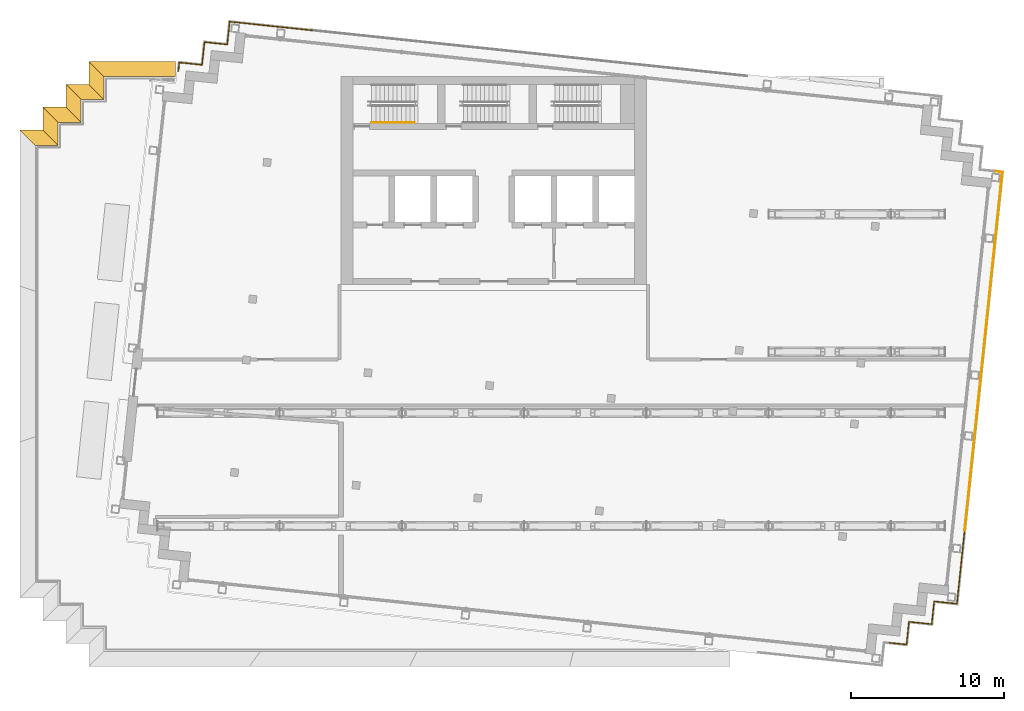
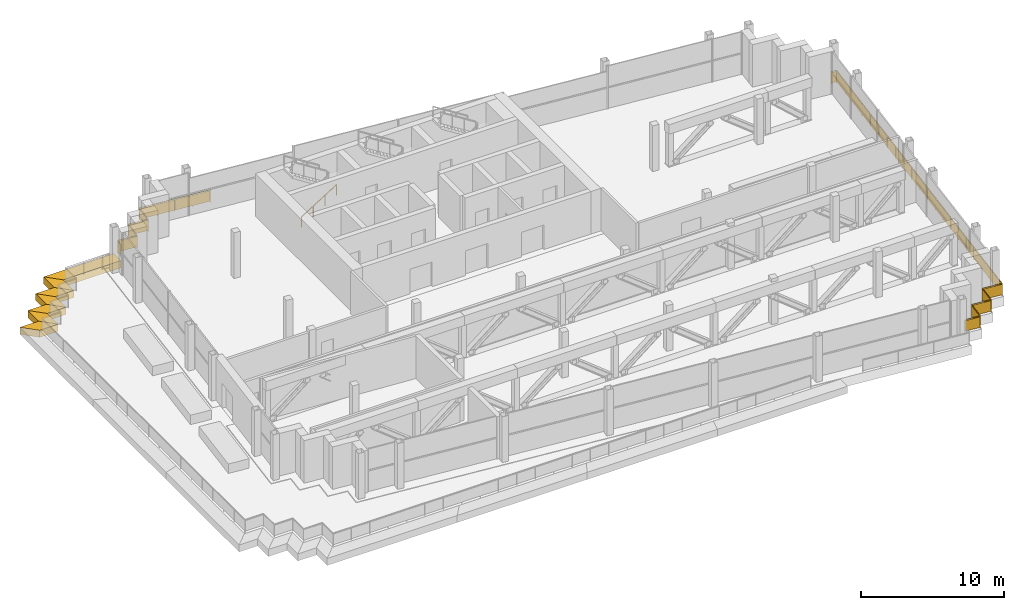
# One storey, part 16 of 18: 7 shading devices, 5 railings.
"""IFC4 building model written with IfcOpenShell, lengths in metres."""

from ifc_helpers import new_model, si_unit, direction, frame, origin, origin_2d, place, context, subcontext, project, spatial, polyline, rectangle, circle, outline, extrude, material, layer, layer_set, type_object, element, save


model = new_model("IFC4")

# Units and contexts
model_context = context("Model", 3, precision=1e-05, world=origin(), true_north=direction((0.0, 1.0)))
body_context = subcontext(model_context, "Body", "Model", "MODEL_VIEW")
ifc_project = project(units=[si_unit("LENGTHUNIT", "METRE"), si_unit("AREAUNIT", "SQUARE_METRE"), si_unit("VOLUMEUNIT", "CUBIC_METRE"), si_unit("PLANEANGLEUNIT", "RADIAN"), si_unit("MASSUNIT", "GRAM", prefix="KILO")], contexts=[model_context])

# Site, building, storey
site_placement = place(None, origin())
site = spatial("IfcSite", under=ifc_project, at=site_placement, CompositionType="ELEMENT")
building_placement = place(site_placement, origin())
building = spatial("IfcBuilding", under=site, at=building_placement, Name="Vidyagriha Tower", CompositionType="ELEMENT")
storey_placement = place(building_placement, frame((0.0, 0.0, 249.199951171875)))
storey = spatial("IfcBuildingStorey", under=building, at=storey_placement, Name="L64", CompositionType="ELEMENT", Elevation=249.199951171875)

# Shading devices
ifc_material_1 = material(Name="Precast concrete C40/50 with brick facing", Category="concrete")
ifc_layer = layer(ifc_material_1, 1.0)
ifc_layer_set = layer_set([ifc_layer], Name="Precast concrete C40/50 with brick facing")
shading_device_type = type_object("IfcShadingDeviceType", Name="Brick chhajja fascia 600", PredefinedType="USERDEFINED", material=ifc_layer_set)
shading_device_1_placement = place(storey_placement, frame((0.0, 0.0, -0.599853515625)))
element("IfcShadingDevice", 1, at=shading_device_1_placement, inside=storey, type_object=shading_device_type, Name="Chhajja fascia TR-B6-1 1", ObjectType="CHHAJJA", PredefinedType="USERDEFINED", context=body_context, shape_type="SweptSolid", body=[
    extrude(outline(polyline([(-20.82763671875, 20.0), (-20.82763671875, 21.0), (-26.5, 21.0), (-25.5, 20.0), (-20.82763671875, 20.0)])), origin(), (0.0, 0.0, 1.0), 0.599853515625),
])
shading_device_2_placement = place(storey_placement, frame((0.0, 0.0, -0.599853515625)))
element("IfcShadingDevice", 2, at=shading_device_2_placement, inside=storey, type_object=shading_device_type, Name="Chhajja fascia TR-B6-1 2", ObjectType="CHHAJJA", PredefinedType="USERDEFINED", context=body_context, shape_type="SweptSolid", body=[
    extrude(outline(polyline([(-25.5, 20.0), (-26.5, 21.0), (-26.5, 19.5), (-25.5, 18.5), (-25.5, 20.0)])), origin(), (0.0, 0.0, 1.0), 0.599853515625),
])
shading_device_3_placement = place(storey_placement, frame((0.0, 0.0, -0.599853515625)))
element("IfcShadingDevice", 3, at=shading_device_3_placement, inside=storey, type_object=shading_device_type, Name="Chhajja fascia TR-B6-1 3", ObjectType="CHHAJJA", PredefinedType="USERDEFINED", context=body_context, shape_type="SweptSolid", body=[
    extrude(outline(polyline([(-25.5, 18.5), (-26.5, 19.5), (-28.0, 19.5), (-27.0, 18.5), (-25.5, 18.5)])), origin(), (0.0, 0.0, 1.0), 0.599853515625),
])
shading_device_4_placement = place(storey_placement, frame((0.0, 0.0, -0.599853515625)))
element("IfcShadingDevice", 4, at=shading_device_4_placement, inside=storey, type_object=shading_device_type, Name="Chhajja fascia TR-B6-1 4", ObjectType="CHHAJJA", PredefinedType="USERDEFINED", context=body_context, shape_type="SweptSolid", body=[
    extrude(outline(polyline([(-27.0, 18.5), (-28.0, 19.5), (-28.0, 18.0), (-27.0, 17.0), (-27.0, 18.5)])), origin(), (0.0, 0.0, 1.0), 0.599853515625),
])
shading_device_5_placement = place(storey_placement, frame((0.0, 0.0, -0.599853515625)))
element("IfcShadingDevice", 5, at=shading_device_5_placement, inside=storey, type_object=shading_device_type, Name="Chhajja fascia TR-B6-1 5", ObjectType="CHHAJJA", PredefinedType="USERDEFINED", context=body_context, shape_type="SweptSolid", body=[
    extrude(outline(polyline([(-27.0, 17.0), (-28.0, 18.0), (-29.5, 18.0), (-28.5, 17.0), (-27.0, 17.0)])), origin(), (0.0, 0.0, 1.0), 0.599853515625),
])
shading_device_6_placement = place(storey_placement, frame((0.0, 0.0, -0.599853515625)))
element("IfcShadingDevice", 6, at=shading_device_6_placement, inside=storey, type_object=shading_device_type, Name="Chhajja fascia TR-B6-1 6", ObjectType="CHHAJJA", PredefinedType="USERDEFINED", context=body_context, shape_type="SweptSolid", body=[
    extrude(outline(polyline([(-28.5, 17.0), (-29.5, 18.0), (-29.5, 16.5), (-28.5, 15.5), (-28.5, 17.0)])), origin(), (0.0, 0.0, 1.0), 0.599853515625),
])
shading_device_7_placement = place(storey_placement, frame((0.0, 0.0, -0.599853515625)))
element("IfcShadingDevice", 7, at=shading_device_7_placement, inside=storey, type_object=shading_device_type, Name="Chhajja fascia TR-B6-1 7", ObjectType="CHHAJJA", PredefinedType="USERDEFINED", context=body_context, shape_type="SweptSolid", body=[
    extrude(outline(polyline([(-28.5, 15.5), (-29.5, 16.5), (-31.0, 16.5), (-30.0, 15.5), (-28.5, 15.5)])), origin(), (0.0, 0.0, 1.0), 0.599853515625),
])

# Railings
ifc_material_2 = material(Name="Steel ASTM A500 Grade C black painted", Category="steel")
railing_type_1 = type_object("IfcRailingType", Name="Gallery guard 1100", PredefinedType="GUARDRAIL", material=ifc_material_2)
railing_1_placement = place(storey_placement, frame((-20.638916015625, 20.360107421875, 0.0)))
element("IfcRailing", 8, at=railing_1_placement, inside=storey, type_object=railing_type_1, Name="Gallery guard L64 1", PredefinedType="GUARDRAIL", context=body_context, shape_type="SweptSolid", body=[
    extrude(circle(Radius=0.02490234375, at=origin_2d()), frame((0.0, 0.0, 1.0751953125), z_axis=(0.104595526741, 0.994514844427, 0.0), x_axis=(-0.994514844427, 0.104595526741, 0.0)), (0.0, 0.0, 1.0), 0.569580078125),
    extrude(circle(Radius=0.02490234375, at=origin_2d()), frame((0.0595703125, 0.56640625, 1.0751953125), z_axis=(0.994525057048, -0.104498377516, 0.0), x_axis=(0.104498377516, 0.994525057048, 0.0)), (0.0, 0.0, 1.0), 1.5),
    extrude(circle(Radius=0.02490234375, at=origin_2d()), frame((1.55126953125, 0.40966796875, 1.0751953125), z_axis=(0.104498377516, 0.994525057048, 0.0), x_axis=(-0.994525057048, 0.104498377516, 0.0)), (0.0, 0.0, 1.0), 1.5),
    extrude(circle(Radius=0.02490234375, at=origin_2d()), frame((1.7080078125, 1.9013671875, 1.0751953125), z_axis=(0.994525057048, -0.104498377516, 0.0), x_axis=(0.104498377516, 0.994525057048, 0.0)), (0.0, 0.0, 1.0), 1.5),
    extrude(circle(Radius=0.02490234375, at=origin_2d()), frame((3.19970703125, 1.74462890625, 1.0751953125), z_axis=(0.104659366031, 0.994508128223, 0.0), x_axis=(-0.994508128223, 0.104659366031, 0.0)), (0.0, 0.0, 1.0), 1.5),
    extrude(circle(Radius=0.02490234375, at=origin_2d()), frame((3.356689453125, 3.236328125, 1.0751953125), z_axis=(0.994521945789, -0.104527983543, 0.0), x_axis=(0.104527983543, 0.994521945789, 0.0)), (0.0, 0.0, 1.0), 5.430419921875),
    extrude(circle(Radius=0.02001953125, at=origin_2d()), origin(), (0.0, 0.0, 1.0), 1.050048828125),
    extrude(circle(Radius=0.02001953125, at=origin_2d()), frame((0.0595703125, 0.56640625, 0.0)), (0.0, 0.0, 1.0), 1.050048828125),
    extrude(circle(Radius=0.02001953125, at=origin_2d()), frame((1.55126953125, 0.40966796875, 0.0)), (0.0, 0.0, 1.0), 1.050048828125),
    extrude(circle(Radius=0.02001953125, at=origin_2d()), frame((1.7080078125, 1.9013671875, 0.0)), (0.0, 0.0, 1.0), 1.050048828125),
    extrude(circle(Radius=0.02001953125, at=origin_2d()), frame((3.19970703125, 1.74462890625, 0.0)), (0.0, 0.0, 1.0), 1.050048828125),
    extrude(circle(Radius=0.02001953125, at=origin_2d()), frame((3.356689453125, 3.236328125, 0.0)), (0.0, 0.0, 1.0), 1.050048828125),
    extrude(circle(Radius=0.02001953125, at=origin_2d()), frame((4.706787109375, 3.094482421875, 0.0)), (0.0, 0.0, 1.0), 1.050048828125),
    extrude(circle(Radius=0.02001953125, at=origin_2d()), frame((6.05712890625, 2.95263671875, 0.0)), (0.0, 0.0, 1.0), 1.050048828125),
    extrude(circle(Radius=0.02001953125, at=origin_2d()), frame((7.4072265625, 2.810546875, 0.0)), (0.0, 0.0, 1.0), 1.050048828125),
    extrude(circle(Radius=0.02001953125, at=origin_2d()), frame((8.75732421875, 2.668701171875, 0.0)), (0.0, 0.0, 1.0), 1.050048828125),
    extrude(rectangle(XDim=0.010009765625, YDim=0.900146484375, at=origin_2d()), frame((0.0, 0.0, 0.550048828125), z_axis=(0.104595526741, 0.994514844427, 0.0), x_axis=(-0.994514844427, 0.104595526741, 0.0)), (0.0, 0.0, 1.0), 0.569580078125),
    extrude(rectangle(XDim=0.010009765625, YDim=0.900146484375, at=origin_2d()), frame((0.0595703125, 0.56640625, 0.550048828125), z_axis=(0.994525057048, -0.104498377516, 0.0), x_axis=(0.104498377516, 0.994525057048, 0.0)), (0.0, 0.0, 1.0), 1.5),
    extrude(rectangle(XDim=0.010009765625, YDim=0.900146484375, at=origin_2d()), frame((1.55126953125, 0.40966796875, 0.550048828125), z_axis=(0.104498377516, 0.994525057048, 0.0), x_axis=(-0.994525057048, 0.104498377516, 0.0)), (0.0, 0.0, 1.0), 1.5),
    extrude(rectangle(XDim=0.010009765625, YDim=0.900146484375, at=origin_2d()), frame((1.7080078125, 1.9013671875, 0.550048828125), z_axis=(0.994525057048, -0.104498377516, 0.0), x_axis=(0.104498377516, 0.994525057048, 0.0)), (0.0, 0.0, 1.0), 1.5),
    extrude(rectangle(XDim=0.010009765625, YDim=0.900146484375, at=origin_2d()), frame((3.19970703125, 1.74462890625, 0.550048828125), z_axis=(0.104659366031, 0.994508128223, 0.0), x_axis=(-0.994508128223, 0.104659366031, 0.0)), (0.0, 0.0, 1.0), 1.5),
    extrude(rectangle(XDim=0.010009765625, YDim=0.900146484375, at=origin_2d()), frame((3.356689453125, 3.236328125, 0.550048828125), z_axis=(0.994521945789, -0.104527983543, 0.0), x_axis=(0.104527983543, 0.994521945789, 0.0)), (0.0, 0.0, 1.0), 5.430419921875),
])
railing_2_placement = place(storey_placement, frame((32.8486328125, 13.802734375, 0.0)))
element("IfcRailing", 9, at=railing_2_placement, inside=storey, type_object=railing_type_1, Name="Gallery guard L64 6", PredefinedType="GUARDRAIL", context=body_context, shape_type="SweptSolid", body=[
    extrude(circle(Radius=0.02490234375, at=origin_2d()), frame((0.0, 0.0, 1.0751953125), z_axis=(0.994511820899, -0.104624271047, 0.0), x_axis=(0.104624271047, 0.994511820899, 0.0)), (0.0, 0.0, 1.0), 0.419921875),
    extrude(circle(Radius=0.02490234375, at=origin_2d()), frame((0.417724609375, -0.0439453125, 1.0751953125), z_axis=(-0.104531134914, -0.994521614563, 0.0), x_axis=(0.994521614563, -0.104531134914, 0.0)), (0.0, 0.0, 1.0), 11.579833984375),
    extrude(circle(Radius=0.02001953125, at=origin_2d()), origin(), (0.0, 0.0, 1.0), 1.050048828125),
    extrude(circle(Radius=0.02001953125, at=origin_2d()), frame((0.417724609375, -0.0439453125, 0.0)), (0.0, 0.0, 1.0), 1.050048828125),
    extrude(circle(Radius=0.02001953125, at=origin_2d()), frame((0.266357421875, -1.4833984375, 0.0)), (0.0, 0.0, 1.0), 1.050048828125),
    extrude(circle(Radius=0.02001953125, at=origin_2d()), frame((0.115234375, -2.923095703125, 0.0)), (0.0, 0.0, 1.0), 1.050048828125),
    extrude(circle(Radius=0.02001953125, at=origin_2d()), frame((-0.0361328125, -4.362548828125, 0.0)), (0.0, 0.0, 1.0), 1.050048828125),
    extrude(circle(Radius=0.02001953125, at=origin_2d()), frame((-0.1875, -5.80224609375, 0.0)), (0.0, 0.0, 1.0), 1.050048828125),
    extrude(circle(Radius=0.02001953125, at=origin_2d()), frame((-0.3388671875, -7.24169921875, 0.0)), (0.0, 0.0, 1.0), 1.050048828125),
    extrude(circle(Radius=0.02001953125, at=origin_2d()), frame((-0.490234375, -8.68115234375, 0.0)), (0.0, 0.0, 1.0), 1.050048828125),
    extrude(circle(Radius=0.02001953125, at=origin_2d()), frame((-0.641357421875, -10.120849609375, 0.0)), (0.0, 0.0, 1.0), 1.050048828125),
    extrude(circle(Radius=0.02001953125, at=origin_2d()), frame((-0.792724609375, -11.560302734375, 0.0)), (0.0, 0.0, 1.0), 1.050048828125),
    extrude(rectangle(XDim=0.010009765625, YDim=0.900146484375, at=origin_2d()), frame((0.0, 0.0, 0.550048828125), z_axis=(0.994511820899, -0.104624271047, 0.0), x_axis=(0.104624271047, 0.994511820899, 0.0)), (0.0, 0.0, 1.0), 0.419921875),
    extrude(rectangle(XDim=0.010009765625, YDim=0.900146484375, at=origin_2d()), frame((0.417724609375, -0.0439453125, 0.550048828125), z_axis=(-0.104531134914, -0.994521614563, 0.0), x_axis=(0.994521614563, -0.104531134914, 0.0)), (0.0, 0.0, 1.0), 11.579833984375),
])
railing_3_placement = place(storey_placement, frame((32.055908203125, 2.242431640625, 0.0)))
element("IfcRailing", 10, at=railing_3_placement, inside=storey, type_object=railing_type_1, Name="Gallery guard L64 7", PredefinedType="GUARDRAIL", context=body_context, shape_type="SweptSolid", body=[
    extrude(circle(Radius=0.02490234375, at=origin_2d()), frame((0.0, 0.0, 1.0751953125), z_axis=(-0.104532279878, -0.994521494219, 0.0), x_axis=(0.994521494219, -0.104532279878, 0.0)), (0.0, 0.0, 1.0), 12.0),
    extrude(circle(Radius=0.02001953125, at=origin_2d()), origin(), (0.0, 0.0, 1.0), 1.050048828125),
    extrude(circle(Radius=0.02001953125, at=origin_2d()), frame((-0.139404296875, -1.325927734375, 0.0)), (0.0, 0.0, 1.0), 1.050048828125),
    extrude(circle(Radius=0.02001953125, at=origin_2d()), frame((-0.27880859375, -2.652099609375, 0.0)), (0.0, 0.0, 1.0), 1.050048828125),
    extrude(circle(Radius=0.02001953125, at=origin_2d()), frame((-0.418212890625, -3.97802734375, 0.0)), (0.0, 0.0, 1.0), 1.050048828125),
    extrude(circle(Radius=0.02001953125, at=origin_2d()), frame((-0.5576171875, -5.30419921875, 0.0)), (0.0, 0.0, 1.0), 1.050048828125),
    extrude(circle(Radius=0.02001953125, at=origin_2d()), frame((-0.69677734375, -6.630126953125, 0.0)), (0.0, 0.0, 1.0), 1.050048828125),
    extrude(circle(Radius=0.02001953125, at=origin_2d()), frame((-0.836181640625, -7.956298828125, 0.0)), (0.0, 0.0, 1.0), 1.050048828125),
    extrude(circle(Radius=0.02001953125, at=origin_2d()), frame((-0.9755859375, -9.2822265625, 0.0)), (0.0, 0.0, 1.0), 1.050048828125),
    extrude(circle(Radius=0.02001953125, at=origin_2d()), frame((-1.114990234375, -10.6083984375, 0.0)), (0.0, 0.0, 1.0), 1.050048828125),
    extrude(circle(Radius=0.02001953125, at=origin_2d()), frame((-1.25439453125, -11.934326171875, 0.0)), (0.0, 0.0, 1.0), 1.050048828125),
    extrude(rectangle(XDim=0.010009765625, YDim=0.900146484375, at=origin_2d()), frame((0.0, 0.0, 0.550048828125), z_axis=(-0.104532279878, -0.994521494219, 0.0), x_axis=(0.994521494219, -0.104532279878, 0.0)), (0.0, 0.0, 1.0), 12.0),
])
railing_4_placement = place(storey_placement, frame((30.801513671875, -9.69189453125, 0.0)))
element("IfcRailing", 11, at=railing_4_placement, inside=storey, type_object=railing_type_1, Name="Gallery guard L64 8", PredefinedType="GUARDRAIL", context=body_context, shape_type="SweptSolid", body=[
    extrude(circle(Radius=0.02490234375, at=origin_2d()), frame((0.0, 0.0, 1.0751953125), z_axis=(-0.104542407277, -0.994520429695, 0.0), x_axis=(0.994520429695, -0.104542407277, 0.0)), (0.0, 0.0, 1.0), 4.820068359375),
    extrude(circle(Radius=0.02490234375, at=origin_2d()), frame((-0.50390625, -4.793701171875, 1.0751953125), z_axis=(-0.994525057048, 0.104498377516, 0.0), x_axis=(-0.104498377516, -0.994525057048, 0.0)), (0.0, 0.0, 1.0), 1.5),
    extrude(circle(Radius=0.02490234375, at=origin_2d()), frame((-1.99560546875, -4.636962890625, 1.0751953125), z_axis=(-0.104498377516, -0.994525057048, 0.0), x_axis=(0.994525057048, -0.104498377516, 0.0)), (0.0, 0.0, 1.0), 1.5),
    extrude(circle(Radius=0.02490234375, at=origin_2d()), frame((-2.15234375, -6.128662109375, 1.0751953125), z_axis=(-0.994525057048, 0.104498377516, 0.0), x_axis=(-0.104498377516, -0.994525057048, 0.0)), (0.0, 0.0, 1.0), 1.5),
    extrude(circle(Radius=0.02490234375, at=origin_2d()), frame((-3.64404296875, -5.971923828125, 1.0751953125), z_axis=(-0.104659366031, -0.994508128223, 0.0), x_axis=(0.994508128223, -0.104659366031, 0.0)), (0.0, 0.0, 1.0), 1.5),
    extrude(circle(Radius=0.02490234375, at=origin_2d()), frame((-3.801025390625, -7.463623046875, 1.0751953125), z_axis=(-0.994524712104, 0.104501660344, 0.0), x_axis=(-0.104501660344, -0.994524712104, 0.0)), (0.0, 0.0, 1.0), 1.1796875),
    extrude(circle(Radius=0.02001953125, at=origin_2d()), origin(), (0.0, 0.0, 1.0), 1.050048828125),
    extrude(circle(Radius=0.02001953125, at=origin_2d()), frame((-0.1259765625, -1.198486328125, 0.0)), (0.0, 0.0, 1.0), 1.050048828125),
    extrude(circle(Radius=0.02001953125, at=origin_2d()), frame((-0.251953125, -2.39697265625, 0.0)), (0.0, 0.0, 1.0), 1.050048828125),
    extrude(circle(Radius=0.02001953125, at=origin_2d()), frame((-0.3779296875, -3.59521484375, 0.0)), (0.0, 0.0, 1.0), 1.050048828125),
    extrude(circle(Radius=0.02001953125, at=origin_2d()), frame((-0.50390625, -4.793701171875, 0.0)), (0.0, 0.0, 1.0), 1.050048828125),
    extrude(circle(Radius=0.02001953125, at=origin_2d()), frame((-1.99560546875, -4.636962890625, 0.0)), (0.0, 0.0, 1.0), 1.050048828125),
    extrude(circle(Radius=0.02001953125, at=origin_2d()), frame((-2.15234375, -6.128662109375, 0.0)), (0.0, 0.0, 1.0), 1.050048828125),
    extrude(circle(Radius=0.02001953125, at=origin_2d()), frame((-3.64404296875, -5.971923828125, 0.0)), (0.0, 0.0, 1.0), 1.050048828125),
    extrude(circle(Radius=0.02001953125, at=origin_2d()), frame((-3.801025390625, -7.463623046875, 0.0)), (0.0, 0.0, 1.0), 1.050048828125),
    extrude(circle(Radius=0.02001953125, at=origin_2d()), frame((-4.974365234375, -7.34033203125, 0.0)), (0.0, 0.0, 1.0), 1.050048828125),
    extrude(rectangle(XDim=0.010009765625, YDim=0.900146484375, at=origin_2d()), frame((0.0, 0.0, 0.550048828125), z_axis=(-0.104542407277, -0.994520429695, 0.0), x_axis=(0.994520429695, -0.104542407277, 0.0)), (0.0, 0.0, 1.0), 4.820068359375),
    extrude(rectangle(XDim=0.010009765625, YDim=0.900146484375, at=origin_2d()), frame((-0.50390625, -4.793701171875, 0.550048828125), z_axis=(-0.994525057048, 0.104498377516, 0.0), x_axis=(-0.104498377516, -0.994525057048, 0.0)), (0.0, 0.0, 1.0), 1.5),
    extrude(rectangle(XDim=0.010009765625, YDim=0.900146484375, at=origin_2d()), frame((-1.99560546875, -4.636962890625, 0.550048828125), z_axis=(-0.104498377516, -0.994525057048, 0.0), x_axis=(0.994525057048, -0.104498377516, 0.0)), (0.0, 0.0, 1.0), 1.5),
    extrude(rectangle(XDim=0.010009765625, YDim=0.900146484375, at=origin_2d()), frame((-2.15234375, -6.128662109375, 0.550048828125), z_axis=(-0.994525057048, 0.104498377516, 0.0), x_axis=(-0.104498377516, -0.994525057048, 0.0)), (0.0, 0.0, 1.0), 1.5),
    extrude(rectangle(XDim=0.010009765625, YDim=0.900146484375, at=origin_2d()), frame((-3.64404296875, -5.971923828125, 0.550048828125), z_axis=(-0.104659366031, -0.994508128223, 0.0), x_axis=(0.994508128223, -0.104659366031, 0.0)), (0.0, 0.0, 1.0), 1.5),
    extrude(rectangle(XDim=0.010009765625, YDim=0.900146484375, at=origin_2d()), frame((-3.801025390625, -7.463623046875, 0.550048828125), z_axis=(-0.994524712104, 0.104501660344, 0.0), x_axis=(-0.104501660344, -0.994524712104, 0.0)), (0.0, 0.0, 1.0), 1.1796875),
])
ifc_material_3 = material(Name="Steel ASTM A500 Grade C", Category="steel")
railing_type_2 = type_object("IfcRailingType", Name="Stair handrail 900 mm, steel", PredefinedType="HANDRAIL", material=ifc_material_3)
railing_5_placement = place(storey_placement, frame((-8.0, 17.0, 0.17724609375)))
element("IfcRailing", 12, at=railing_5_placement, inside=storey, type_object=railing_type_2, Name="L64 ST1 stair handrail 1", PredefinedType="HANDRAIL", context=body_context, shape_type="SweptSolid", body=[
    extrude(circle(Radius=0.02392578125, at=origin_2d()), frame((0.0, 0.0, 0.8759765625), z_axis=(0.844908973607, 0.0, 0.534910110503), x_axis=(0.0, 1.0, 0.0)), (0.0, 0.0, 1.0), 3.31396484375),
    extrude(circle(Radius=0.02099609375, at=origin_2d()), origin(), (0.0, 0.0, 1.0), 0.851806640625),
    extrude(circle(Radius=0.02099609375, at=origin_2d()), frame((0.933349609375, 0.0, 0.5908203125)), (0.0, 0.0, 1.0), 0.851806640625),
    extrude(circle(Radius=0.02099609375, at=origin_2d()), frame((1.86669921875, 0.0, 1.181884765625)), (0.0, 0.0, 1.0), 0.851806640625),
    extrude(circle(Radius=0.02099609375, at=origin_2d()), frame((2.800048828125, 0.0, 1.772705078125)), (0.0, 0.0, 1.0), 0.851806640625),
])

save(model, "model.ifc")
